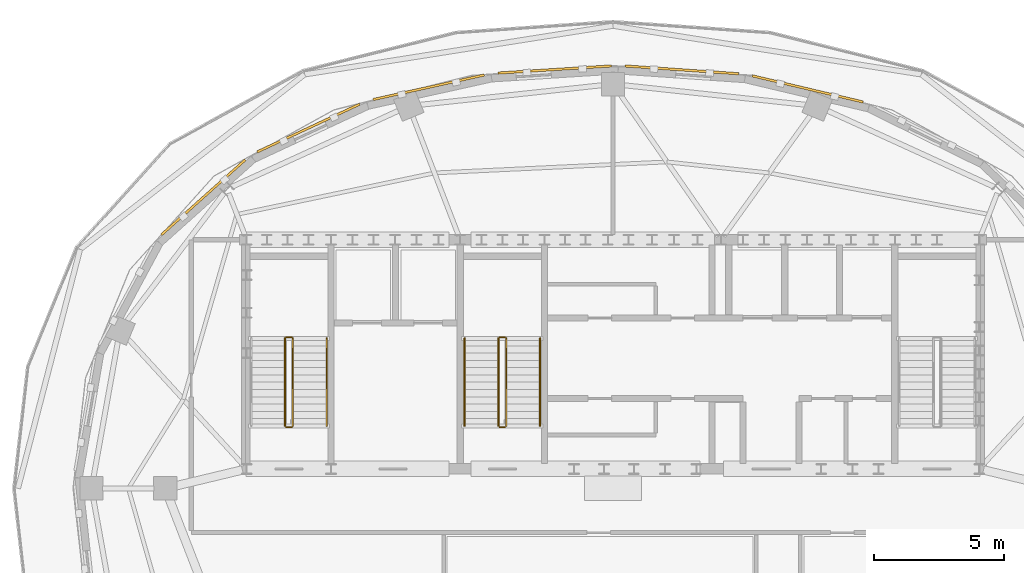
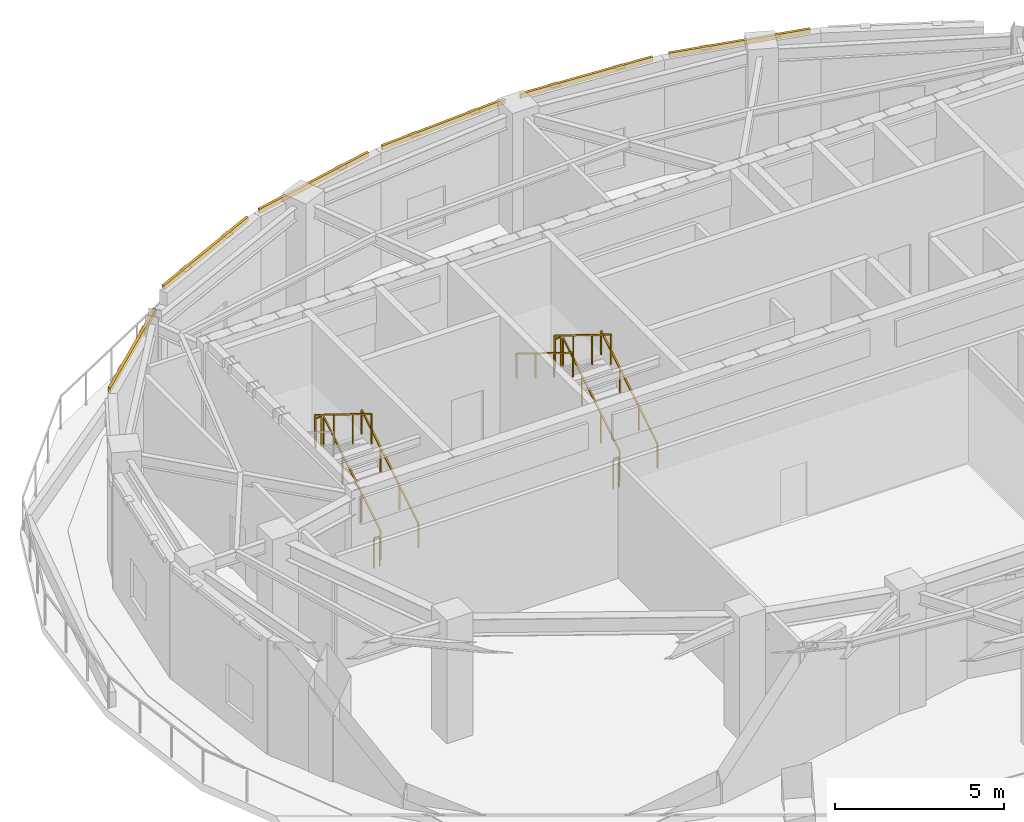
# One storey, part 7 of 8: 11 railings, 6 coverings.
"""IFC4 building model written with IfcOpenShell, lengths in metres."""

from ifc_helpers import new_model, si_unit, direction, frame, origin, origin_2d, place, context, subcontext, project, spatial, polyline, rectangle, outline, extrude, material, layer, layer_set, type_object, element, save


model = new_model("IFC4")

# Units and contexts
model_context = context("Model", 3, precision=1e-05, world=origin(), true_north=direction((0.0, 1.0)))
body_context = subcontext(model_context, "Body", "Model", "MODEL_VIEW")
ifc_project = project(units=[si_unit("LENGTHUNIT", "METRE"), si_unit("AREAUNIT", "SQUARE_METRE"), si_unit("VOLUMEUNIT", "CUBIC_METRE"), si_unit("PLANEANGLEUNIT", "RADIAN"), si_unit("MASSUNIT", "GRAM", prefix="KILO")], contexts=[model_context])

# Site, building, storey
site_placement = place(None, origin())
site = spatial("IfcSite", under=ifc_project, at=site_placement, CompositionType="ELEMENT")
building_placement = place(site_placement, origin())
building = spatial("IfcBuilding", under=site, at=building_placement, Name="Haldorwick Loom Tower", CompositionType="ELEMENT")
storey_placement = place(building_placement, frame((0.0, 0.0, 291.5)))
storey = spatial("IfcBuildingStorey", under=building, at=storey_placement, Name="L78", CompositionType="ELEMENT", Elevation=291.5)

# Coverings
ifc_material_1 = material(Name="Corbelled Pressed Clay Face Brick Veneer", Category="masonry")
ifc_layer = layer(ifc_material_1, 0.090087890625, Name="Corbelled Pressed Clay Face Brick Veneer", Category="masonry")
ifc_layer_set = layer_set([ifc_layer], Name="Corbelled Pressed Clay Face Brick Veneer")
covering_type = type_object("IfcCoveringType", Name="ARC-COV-BRICK090", PredefinedType="CLADDING", material=ifc_layer_set)
covering_1_placement = place(storey_placement, frame((0.0, 0.0, 4.06005859375)))
element("IfcCovering", 1, at=covering_1_placement, inside=storey, type_object=covering_type, Name="L78 Head Face-Brick Lintel Band 5", PredefinedType="CLADDING", context=body_context, shape_type="SweptSolid", body=[
    extrude(outline(polyline([(45.6220703125, 40.88671875), (41.36376953125, 41.8935546875), (41.343017578125, 41.805908203125), (45.601318359375, 40.799072265625), (45.6220703125, 40.88671875)])), origin(), (0.0, 0.0, 1.0), 0.159912109375),
])
covering_2_placement = place(storey_placement, frame((0.0, 0.0, 4.06005859375)))
element("IfcCovering", 2, at=covering_2_placement, inside=storey, type_object=covering_type, Name="L78 Head Face-Brick Lintel Band 6", PredefinedType="CLADDING", context=body_context, shape_type="SweptSolid", body=[
    extrude(outline(polyline([(40.833740234375, 41.973876953125), (36.467529296875, 42.27294921875), (36.46142578125, 42.18310546875), (40.82763671875, 41.884033203125), (40.833740234375, 41.973876953125)])), origin(), (0.0, 0.0, 1.0), 0.159912109375),
])
covering_3_placement = place(storey_placement, frame((0.0, 0.0, 4.06005859375)))
element("IfcCovering", 3, at=covering_3_placement, inside=storey, type_object=covering_type, Name="L78 Head Face-Brick Lintel Band 7", PredefinedType="CLADDING", context=body_context, shape_type="SweptSolid", body=[
    extrude(outline(polyline([(35.9384765625, 42.2744140625), (31.572998046875, 41.999755859375), (31.57861328125, 41.909912109375), (35.944091796875, 42.1845703125), (35.9384765625, 42.2744140625)])), origin(), (0.0, 0.0, 1.0), 0.159912109375),
])
covering_4_placement = place(storey_placement, frame((0.0, 0.0, 4.06005859375)))
element("IfcCovering", 4, at=covering_4_placement, inside=storey, type_object=covering_type, Name="L78 Head Face-Brick Lintel Band 8", PredefinedType="CLADDING", context=body_context, shape_type="SweptSolid", body=[
    extrude(outline(polyline([(31.044189453125, 41.925048828125), (26.77685546875, 40.981689453125), (26.79638671875, 40.893798828125), (31.063720703125, 41.837158203125), (31.044189453125, 41.925048828125)])), origin(), (0.0, 0.0, 1.0), 0.159912109375),
])
covering_5_placement = place(storey_placement, frame((0.0, 0.0, 4.06005859375)))
element("IfcCovering", 5, at=covering_5_placement, inside=storey, type_object=covering_type, Name="L78 Head Face-Brick Lintel Band 9", PredefinedType="CLADDING", context=body_context, shape_type="SweptSolid", body=[
    extrude(outline(polyline([(26.2587890625, 40.805908203125), (22.313720703125, 38.966796875), (22.351806640625, 38.885009765625), (26.296875, 40.724365234375), (26.2587890625, 40.805908203125)])), origin(), (0.0, 0.0, 1.0), 0.159912109375),
])
covering_6_placement = place(storey_placement, frame((0.0, 0.0, 3.569091796875)))
element("IfcCovering", 6, at=covering_6_placement, inside=storey, type_object=covering_type, Name="L78 Head Face-Brick Lintel Band 10", PredefinedType="CLADDING", context=body_context, shape_type="SweptSolid", body=[
    extrude(outline(polyline([(21.844482421875, 38.657470703125), (18.6201171875, 35.774169921875), (18.679931640625, 35.70703125), (21.904541015625, 38.59033203125), (21.844482421875, 38.657470703125)])), origin(), (0.0, 0.0, 1.0), 0.159912109375),
])

# Railings
ifc_material_2 = material(Name="Steel CSA G40.21 350W", Category="steel")
railing_type_1 = type_object("IfcRailingType", Name="ARC-RLG-GUARD112", PredefinedType="GUARDRAIL", material=ifc_material_2)
railing_1_placement = place(storey_placement, frame((23.699951171875, 28.39990234375, 0.173095703125)))
element("IfcRailing", 7, at=railing_1_placement, inside=storey, type_object=railing_type_1, Name="L78 ST-01 stair guard 1", PredefinedType="GUARDRAIL", context=body_context, shape_type="SweptSolid", body=[
    extrude(rectangle(XDim=0.048095703125, YDim=0.048095703125, at=origin_2d()), frame((0.0, 0.0, 1.076171875), z_axis=(0.0, 0.850623216509, 0.525775754039), x_axis=(-1.0, 0.0, 0.0)), (0.0, 0.0, 1.0), 3.9501953125),
    extrude(rectangle(XDim=0.0419921875, YDim=0.0419921875, at=origin_2d()), origin(), (0.0, 0.0, 1.0), 1.052001953125),
    extrude(rectangle(XDim=0.0419921875, YDim=0.0419921875, at=origin_2d()), frame((0.0, 1.1201171875, 0.6923828125)), (0.0, 0.0, 1.0), 1.052001953125),
    extrude(rectangle(XDim=0.0419921875, YDim=0.0419921875, at=origin_2d()), frame((0.0, 2.239990234375, 1.384521484375)), (0.0, 0.0, 1.0), 1.052001953125),
    extrude(rectangle(XDim=0.0419921875, YDim=0.0419921875, at=origin_2d()), frame((0.0, 3.360107421875, 2.076904296875)), (0.0, 0.0, 1.0), 1.052001953125),
])
railing_2_placement = place(storey_placement, frame((23.64990234375, 31.81005859375, 2.25)))
element("IfcRailing", 8, at=railing_2_placement, inside=storey, type_object=railing_type_1, Name="L78 ST-01 stair guard 2", PredefinedType="GUARDRAIL", context=body_context, shape_type="SweptSolid", body=[
    extrude(rectangle(XDim=0.048095703125, YDim=0.048095703125, at=origin_2d()), frame((0.0, 0.0, 1.076171875), z_axis=(-1.0, 0.0, 0.0), x_axis=(0.0, -1.0, 0.0)), (0.0, 0.0, 1.0), 0.199951171875),
    extrude(rectangle(XDim=0.0419921875, YDim=0.0419921875, at=origin_2d()), origin(), (0.0, 0.0, 1.0), 1.052001953125),
    extrude(rectangle(XDim=0.0419921875, YDim=0.0419921875, at=origin_2d()), frame((-0.199951171875, 0.0, 0.0)), (0.0, 0.0, 1.0), 1.052001953125),
])
railing_3_placement = place(storey_placement, frame((23.39990234375, 31.760009765625, 2.423095703125)))
element("IfcRailing", 9, at=railing_3_placement, inside=storey, type_object=railing_type_1, Name="L78 ST-01 stair guard 3", PredefinedType="GUARDRAIL", context=body_context, shape_type="SweptSolid", body=[
    extrude(rectangle(XDim=0.048095703125, YDim=0.048095703125, at=origin_2d()), frame((0.0, 0.0, 1.076171875), z_axis=(0.0, -0.850623216509, 0.525775754039), x_axis=(1.0, 0.0, 0.0)), (0.0, 0.0, 1.0), 3.9501953125),
    extrude(rectangle(XDim=0.0419921875, YDim=0.0419921875, at=origin_2d()), origin(), (0.0, 0.0, 1.0), 1.052001953125),
    extrude(rectangle(XDim=0.0419921875, YDim=0.0419921875, at=origin_2d()), frame((0.0, -1.1201171875, 0.6923828125)), (0.0, 0.0, 1.0), 1.052001953125),
    extrude(rectangle(XDim=0.0419921875, YDim=0.0419921875, at=origin_2d()), frame((0.0, -2.239990234375, 1.384521484375)), (0.0, 0.0, 1.0), 1.052001953125),
    extrude(rectangle(XDim=0.0419921875, YDim=0.0419921875, at=origin_2d()), frame((0.0, -3.360107421875, 2.076904296875)), (0.0, 0.0, 1.0), 1.052001953125),
])
railing_4_placement = place(storey_placement, frame((23.64990234375, 28.35009765625, 0.0)))
element("IfcRailing", 10, at=railing_4_placement, inside=storey, type_object=railing_type_1, Name="L78 ST-01 stair guard 4", PredefinedType="GUARDRAIL", context=body_context, shape_type="SweptSolid", body=[
    extrude(rectangle(XDim=0.048095703125, YDim=0.048095703125, at=origin_2d()), frame((0.0, 0.0, 1.076171875), z_axis=(-1.0, 0.0, 0.0), x_axis=(0.0, -1.0, 0.0)), (0.0, 0.0, 1.0), 0.199951171875),
    extrude(rectangle(XDim=0.0419921875, YDim=0.0419921875, at=origin_2d()), origin(), (0.0, 0.0, 1.0), 1.052001953125),
    extrude(rectangle(XDim=0.0419921875, YDim=0.0419921875, at=origin_2d()), frame((-0.199951171875, 0.0, 0.0)), (0.0, 0.0, 1.0), 1.052001953125),
])
railing_5_placement = place(storey_placement, frame((31.89990234375, 28.39990234375, 0.173095703125)))
element("IfcRailing", 11, at=railing_5_placement, inside=storey, type_object=railing_type_1, Name="L78 ST-03 stair guard 1", PredefinedType="GUARDRAIL", context=body_context, shape_type="SweptSolid", body=[
    extrude(rectangle(XDim=0.048095703125, YDim=0.048095703125, at=origin_2d()), frame((0.0, 0.0, 1.076171875), z_axis=(0.0, 0.850623216509, 0.525775754039), x_axis=(-1.0, 0.0, 0.0)), (0.0, 0.0, 1.0), 3.9501953125),
    extrude(rectangle(XDim=0.0419921875, YDim=0.0419921875, at=origin_2d()), origin(), (0.0, 0.0, 1.0), 1.052001953125),
    extrude(rectangle(XDim=0.0419921875, YDim=0.0419921875, at=origin_2d()), frame((0.0, 1.1201171875, 0.6923828125)), (0.0, 0.0, 1.0), 1.052001953125),
    extrude(rectangle(XDim=0.0419921875, YDim=0.0419921875, at=origin_2d()), frame((0.0, 2.239990234375, 1.384521484375)), (0.0, 0.0, 1.0), 1.052001953125),
    extrude(rectangle(XDim=0.0419921875, YDim=0.0419921875, at=origin_2d()), frame((0.0, 3.360107421875, 2.076904296875)), (0.0, 0.0, 1.0), 1.052001953125),
])
railing_6_placement = place(storey_placement, frame((31.85009765625, 31.81005859375, 2.25)))
element("IfcRailing", 12, at=railing_6_placement, inside=storey, type_object=railing_type_1, Name="L78 ST-03 stair guard 2", PredefinedType="GUARDRAIL", context=body_context, shape_type="SweptSolid", body=[
    extrude(rectangle(XDim=0.048095703125, YDim=0.048095703125, at=origin_2d()), frame((0.0, 0.0, 1.076171875), z_axis=(-1.0, 0.0, 0.0), x_axis=(0.0, -1.0, 0.0)), (0.0, 0.0, 1.0), 0.2001953125),
    extrude(rectangle(XDim=0.0419921875, YDim=0.0419921875, at=origin_2d()), origin(), (0.0, 0.0, 1.0), 1.052001953125),
    extrude(rectangle(XDim=0.0419921875, YDim=0.0419921875, at=origin_2d()), frame((-0.2001953125, 0.0, 0.0)), (0.0, 0.0, 1.0), 1.052001953125),
])
railing_7_placement = place(storey_placement, frame((31.60009765625, 31.760009765625, 2.423095703125)))
element("IfcRailing", 13, at=railing_7_placement, inside=storey, type_object=railing_type_1, Name="L78 ST-03 stair guard 3", PredefinedType="GUARDRAIL", context=body_context, shape_type="SweptSolid", body=[
    extrude(rectangle(XDim=0.048095703125, YDim=0.048095703125, at=origin_2d()), frame((0.0, 0.0, 1.076171875), z_axis=(0.0, -0.850623216509, 0.525775754039), x_axis=(1.0, 0.0, 0.0)), (0.0, 0.0, 1.0), 3.9501953125),
    extrude(rectangle(XDim=0.0419921875, YDim=0.0419921875, at=origin_2d()), origin(), (0.0, 0.0, 1.0), 1.052001953125),
    extrude(rectangle(XDim=0.0419921875, YDim=0.0419921875, at=origin_2d()), frame((0.0, -1.1201171875, 0.6923828125)), (0.0, 0.0, 1.0), 1.052001953125),
    extrude(rectangle(XDim=0.0419921875, YDim=0.0419921875, at=origin_2d()), frame((0.0, -2.239990234375, 1.384521484375)), (0.0, 0.0, 1.0), 1.052001953125),
    extrude(rectangle(XDim=0.0419921875, YDim=0.0419921875, at=origin_2d()), frame((0.0, -3.360107421875, 2.076904296875)), (0.0, 0.0, 1.0), 1.052001953125),
])
railing_8_placement = place(storey_placement, frame((31.85009765625, 28.35009765625, 0.0)))
element("IfcRailing", 14, at=railing_8_placement, inside=storey, type_object=railing_type_1, Name="L78 ST-03 stair guard 4", PredefinedType="GUARDRAIL", context=body_context, shape_type="SweptSolid", body=[
    extrude(rectangle(XDim=0.048095703125, YDim=0.048095703125, at=origin_2d()), frame((0.0, 0.0, 1.076171875), z_axis=(-1.0, 0.0, 0.0), x_axis=(0.0, -1.0, 0.0)), (0.0, 0.0, 1.0), 0.2001953125),
    extrude(rectangle(XDim=0.0419921875, YDim=0.0419921875, at=origin_2d()), origin(), (0.0, 0.0, 1.0), 1.052001953125),
    extrude(rectangle(XDim=0.0419921875, YDim=0.0419921875, at=origin_2d()), frame((-0.2001953125, 0.0, 0.0)), (0.0, 0.0, 1.0), 1.052001953125),
])
railing_type_2 = type_object("IfcRailingType", Name="ARC-RLG-HAND092", PredefinedType="HANDRAIL", material=ifc_material_2)
for number, where, name in (
    (15, (25.0, 28.39990234375, 0.173095703125), "L78 ST-01 stair handrail 1"),
    (16, (33.199951171875, 28.39990234375, 0.173095703125), "L78 ST-03 stair handrail 1"),
):
    element("IfcRailing", number, at=place(storey_placement, frame(where)), inside=storey, type_object=railing_type_2, Name=name, PredefinedType="HANDRAIL", context=body_context, shape_type="SweptSolid", body=[
        extrude(rectangle(XDim=0.048095703125, YDim=0.048095703125, at=origin_2d()), frame((0.0, 0.0, 0.8759765625), z_axis=(0.0, 0.850623216509, 0.525775754039), x_axis=(-1.0, 0.0, 0.0)), (0.0, 0.0, 1.0), 3.9501953125),
        extrude(rectangle(XDim=0.0419921875, YDim=0.0419921875, at=origin_2d()), origin(), (0.0, 0.0, 1.0), 0.851806640625),
        extrude(rectangle(XDim=0.0419921875, YDim=0.0419921875, at=origin_2d()), frame((0.0, 1.1201171875, 0.6923828125)), (0.0, 0.0, 1.0), 0.851806640625),
        extrude(rectangle(XDim=0.0419921875, YDim=0.0419921875, at=origin_2d()), frame((0.0, 2.239990234375, 1.384521484375)), (0.0, 0.0, 1.0), 0.851806640625),
        extrude(rectangle(XDim=0.0419921875, YDim=0.0419921875, at=origin_2d()), frame((0.0, 3.360107421875, 2.076904296875)), (0.0, 0.0, 1.0), 0.851806640625),
    ])
railing_9_placement = place(storey_placement, frame((30.300048828125, 31.760009765625, 2.423095703125)))
element("IfcRailing", 17, at=railing_9_placement, inside=storey, type_object=railing_type_2, Name="L78 ST-03 stair handrail 2", PredefinedType="HANDRAIL", context=body_context, shape_type="SweptSolid", body=[
    extrude(rectangle(XDim=0.048095703125, YDim=0.048095703125, at=origin_2d()), frame((0.0, 0.0, 0.8759765625), z_axis=(0.0, -0.850623216509, 0.525775754039), x_axis=(1.0, 0.0, 0.0)), (0.0, 0.0, 1.0), 3.9501953125),
    extrude(rectangle(XDim=0.0419921875, YDim=0.0419921875, at=origin_2d()), origin(), (0.0, 0.0, 1.0), 0.851806640625),
    extrude(rectangle(XDim=0.0419921875, YDim=0.0419921875, at=origin_2d()), frame((0.0, -1.1201171875, 0.6923828125)), (0.0, 0.0, 1.0), 0.851806640625),
    extrude(rectangle(XDim=0.0419921875, YDim=0.0419921875, at=origin_2d()), frame((0.0, -2.239990234375, 1.384521484375)), (0.0, 0.0, 1.0), 0.851806640625),
    extrude(rectangle(XDim=0.0419921875, YDim=0.0419921875, at=origin_2d()), frame((0.0, -3.360107421875, 2.076904296875)), (0.0, 0.0, 1.0), 0.851806640625),
])

save(model, "model.ifc")
